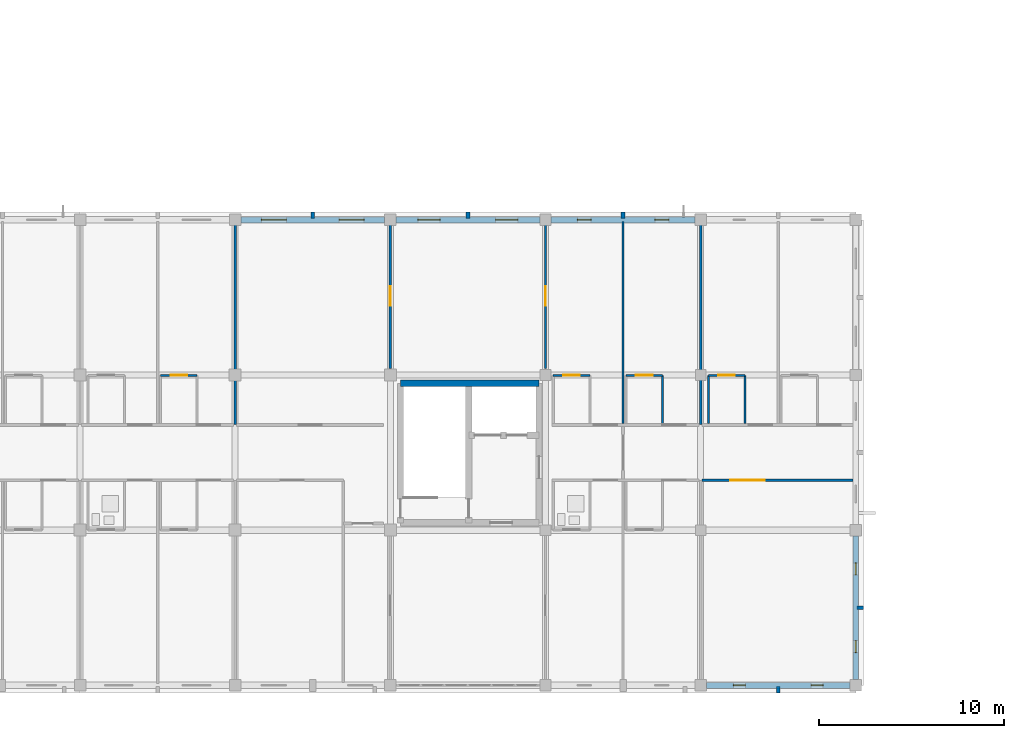
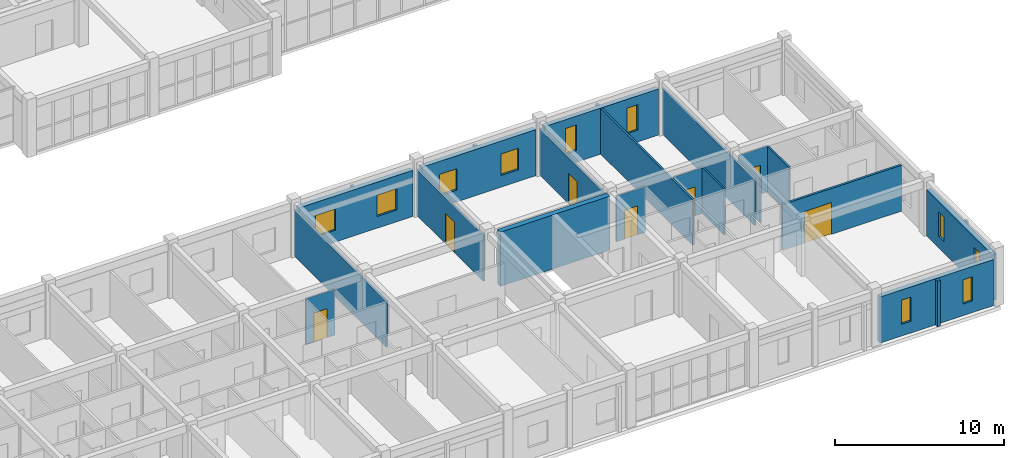
# One storey, part 63 of 81: 24 walls, 10 windows, 7 doors, 17 openings.
"""IFC4 building model written with IfcOpenShell, lengths in metres."""

from ifc_helpers import new_model, si_unit, direction, frame, frame_2d, origin, place, context, subcontext, project, spatial, rectangle, extrude, material, layer, layer_set, type_object, element, fill, save


model = new_model("IFC4")

# Units and contexts
model_context = context("Model", 3, precision=1e-05, world=origin(), true_north=direction((0.0, 1.0)))
body_context = subcontext(model_context, "Body", "Model", "MODEL_VIEW")
ifc_project = project(units=[si_unit("LENGTHUNIT", "METRE"), si_unit("AREAUNIT", "SQUARE_METRE"), si_unit("VOLUMEUNIT", "CUBIC_METRE"), si_unit("PLANEANGLEUNIT", "RADIAN"), si_unit("MASSUNIT", "GRAM", prefix="KILO")], contexts=[model_context])

# Site, building, storey
site_placement = place(None, origin())
site = spatial("IfcSite", under=ifc_project, at=site_placement, CompositionType="ELEMENT")
building_placement = place(site_placement, origin())
building = spatial("IfcBuilding", under=site, at=building_placement, Name="Trelvath General Hospital", CompositionType="ELEMENT")
storey_placement = place(building_placement, frame((0.0, 0.0, 24.60009765625)))
storey = spatial("IfcBuildingStorey", under=building, at=storey_placement, Name="L06", CompositionType="ELEMENT", Elevation=24.60009765625)

# Walls
ifc_material_1 = material(Name="Precast concrete C40/50", Category="concrete")
ifc_layer_1 = layer(ifc_material_1, 0.199951171875)
ifc_layer_set_1 = layer_set([ifc_layer_1], Name="Precast concrete C40/50")
wall_type_1 = type_object("IfcWallType", Name="BriseSoleilRib 200", PredefinedType="ELEMENTEDWALL", material=ifc_layer_set_1)
for number, where, z_axis, x_axis, name in (
    (1, (88.199951171875, 25.27490234375, 0.0), (0.0, 0.0, 1.0), (0.0, 1.0, 0.0), "Precast Concrete Brise-Soleil Rib Fin L06-436"),
    (2, (96.60009765625, 25.27490234375, 0.0), (0.0, 0.0, 1.0), (0.0, 1.0, 0.0), "Precast Concrete Brise-Soleil Rib Fin L06-439"),
    (3, (105.0, 25.27490234375, 0.0), (0.0, 0.0, 1.0), (0.0, 1.0, 0.0), "Precast Concrete Brise-Soleil Rib Fin L06-442"),
    (4, (113.39990234375, -0.074951171875, 0.0), (0.0, 0.0, 1.0), (0.0, -1.0, 0.0), "Precast Concrete Brise-Soleil Rib Fin L06-445"),
):
    element("IfcWall", number, at=place(storey_placement, frame(where, z_axis=z_axis, x_axis=x_axis)), inside=storey, type_object=wall_type_1, Name=name, PredefinedType="ELEMENTEDWALL", context=body_context, shape_type="SweptSolid", body=[
        extrude(rectangle(XDim=0.340087890625, YDim=0.199951171875, at=frame_2d((0.169921875, 0.0))), origin(), (0.0, 0.0, 1.0), 3.31982421875),
    ])
wall_1_placement = place(storey_placement, frame((117.675048828125, 4.199951171875, 0.0), z_axis=(0.0, 0.0, 1.0), x_axis=(1.0, 0.0, 0.0)))
element("IfcWall", 5, at=wall_1_placement, inside=storey, type_object=wall_type_1, Name="Precast Concrete Brise-Soleil Rib Fin L06-446", PredefinedType="ELEMENTEDWALL", context=body_context, shape_type="SweptSolid", body=[
    extrude(rectangle(XDim=0.33984375, YDim=0.199951171875, at=frame_2d((0.169921875, 0.0))), origin(), (0.0, 0.0, 1.0), 3.31982421875),
])

# Wall, opening, door
ifc_material_2 = material(Name="Gypsum acoustic steel-stud partition", Category="steel")
ifc_layer_2 = layer(ifc_material_2, 0.14990234375)
ifc_layer_set_2 = layer_set([ifc_layer_2], Name="Gypsum acoustic steel-stud partition")
wall_type_2 = type_object("IfcWallType", Name="ClinicalPartition 150", PredefinedType="PARTITIONING", material=ifc_layer_set_2)
wall_2_placement = place(storey_placement, frame((109.280029296875, 11.10009765625, 0.0), z_axis=(0.0, 0.0, 1.0), x_axis=(1.0, 0.0, 0.0)))
wall_2 = element("IfcWall", 6, at=wall_2_placement, inside=storey, type_object=wall_type_2, Name="Corridor Partition L06-2147", PredefinedType="PARTITIONING", context=body_context, shape_type="SweptSolid", body=[
    extrude(rectangle(XDim=8.179931640625, YDim=0.14990234375, at=frame_2d((4.08984375, 0.0))), origin(), (0.0, 0.0, 1.0), 3.31982421875),
])
opening_1_placement = place(wall_2_placement, frame((1.530029296875, 0.0, 0.0)))
opening_1 = element("IfcOpeningElement", 7, at=opening_1_placement, cuts=wall_2, Name="Opening D-6-1366", PredefinedType="OPENING", context=body_context, shape_type="SweptSolid", body=[
    extrude(rectangle(XDim=1.85009765625, YDim=2.300048828125, at=frame_2d((0.925048828125, 1.14990234375))), frame((0.0, 0.0849609375, 0.0), z_axis=(0.0, -1.0, 0.0), x_axis=(1.0, 0.0, 0.0)), (0.0, 0.0, 1.0), 0.169921875),
])
ifc_material_3 = material(Name="Fire-rated steel cross-corridor pair", Category="steel")
door_type_1 = type_object("IfcDoorType", Name="Door SmokeCross 1850x2300", OperationType="DOUBLE_SWING_LEFT", PredefinedType="DOOR", material=ifc_material_3)
door_1_placement = place(opening_1_placement, origin())
door_1 = element("IfcDoor", 8, at=door_1_placement, inside=storey, type_object=door_type_1, Name="Waiting Lounge Door L06-1366", OperationType="DOUBLE_SWING_LEFT", OverallHeight=2.300048828125, OverallWidth=1.85009765625, PredefinedType="DOOR", context=body_context, shape_type="SweptSolid", body=[
    extrude(rectangle(XDim=1.85009765625, YDim=2.300048828125, at=frame_2d((0.925048828125, 1.14990234375))), frame((0.0, 0.02490234375, 0.0), z_axis=(0.0, -1.0, 0.0), x_axis=(1.0, 0.0, 0.0)), (0.0, 0.0, 1.0), 0.050048828125),
])
fill(opening_1, door_1)

# Wall
ifc_material_4 = material(Name="Concrete C40/50", Category="concrete")
ifc_layer_3 = layer(ifc_material_4, 0.35009765625)
ifc_layer_set_3 = layer_set([ifc_layer_3], Name="Concrete C40/50")
wall_type_3 = type_object("IfcWallType", Name="CoreShearWall 350", PredefinedType="SHEAR", material=ifc_layer_set_3)
wall_3_placement = place(storey_placement, frame((92.949951171875, 16.35009765625, 0.0), z_axis=(0.0, 0.0, 1.0), x_axis=(1.0, 0.0, 0.0)))
element("IfcWall", 9, at=wall_3_placement, inside=storey, type_object=wall_type_3, Name="Core Shear Wall C5 N L06", PredefinedType="SHEAR", context=body_context, shape_type="SweptSolid", body=[
    extrude(rectangle(XDim=7.5, YDim=0.35009765625, at=frame_2d((3.75, 0.0))), origin(), (0.0, 0.0, 1.0), 3.919921875),
])

# Wall, opening, door
ifc_material_5 = material(Name="Moisture-resistant tile partition")
ifc_layer_4 = layer(ifc_material_5, 0.110107421875)
ifc_layer_set_4 = layer_set([ifc_layer_4], Name="Moisture-resistant tile partition")
wall_type_4 = type_object("IfcWallType", Name="EnSuiteWetWall 110", PredefinedType="PARTITIONING", material=ifc_layer_set_4)
wall_4_placement = place(storey_placement, frame((79.9599609375, 16.780029296875, 0.0), z_axis=(0.0, 0.0, 1.0), x_axis=(1.0, 0.0, 0.0)))
wall_4 = element("IfcWall", 10, at=wall_4_placement, inside=storey, type_object=wall_type_4, Name="En-Suite Bathroom N Partition L06-2117", PredefinedType="PARTITIONING", context=body_context, shape_type="SweptSolid", body=[
    extrude(rectangle(XDim=1.97998046875, YDim=0.110107421875, at=frame_2d((0.989990234375, 0.0))), origin(), (0.0, 0.0, 1.0), 3.31982421875),
])
opening_2_placement = place(wall_4_placement, frame((0.5400390625, 0.0, 0.0)))
opening_2 = element("IfcOpeningElement", 11, at=opening_2_placement, cuts=wall_4, Name="Opening D-6-1349", PredefinedType="OPENING", context=body_context, shape_type="SweptSolid", body=[
    extrude(rectangle(XDim=0.89990234375, YDim=2.10009765625, at=frame_2d((0.449951171875, 1.050048828125))), frame((0.0, 0.06494140625, 0.0), z_axis=(0.0, -1.0, 0.0), x_axis=(1.0, 0.0, 0.0)), (0.0, 0.0, 1.0), 0.130126953125),
])
ifc_material_6 = material(Name="Moisture-sealed timber leaf", Category="wood")
door_type_2 = type_object("IfcDoorType", Name="Door EnSuite 900x2100", OperationType="NOTDEFINED", PredefinedType="DOOR", material=ifc_material_6)
door_2_placement = place(opening_2_placement, origin())
door_2 = element("IfcDoor", 12, at=door_2_placement, inside=storey, type_object=door_type_2, Name="En-Suite Bathroom N Door L06-1349", OperationType="SINGLE_SWING_LEFT", OverallHeight=2.10009765625, OverallWidth=0.89990234375, PredefinedType="DOOR", context=body_context, shape_type="SweptSolid", body=[
    extrude(rectangle(XDim=0.89990234375, YDim=2.10009765625, at=frame_2d((0.449951171875, 1.050048828125))), frame((0.0, 0.02490234375, 0.0), z_axis=(0.0, -1.0, 0.0), x_axis=(1.0, 0.0, 0.0)), (0.0, 0.0, 1.0), 0.050048828125),
])
fill(opening_2, door_2)

wall_5_placement = place(storey_placement, frame((101.219970703125, 16.780029296875, 0.0), z_axis=(0.0, 0.0, 1.0), x_axis=(1.0, 0.0, 0.0)))
wall_5 = element("IfcWall", 13, at=wall_5_placement, inside=storey, type_object=wall_type_4, Name="En-Suite Bathroom N Partition L06-2140", PredefinedType="PARTITIONING", context=body_context, shape_type="SweptSolid", body=[
    extrude(rectangle(XDim=1.97998046875, YDim=0.110107421875, at=frame_2d((0.989990234375, 0.0))), origin(), (0.0, 0.0, 1.0), 3.31982421875),
])
opening_3_placement = place(wall_5_placement, frame((0.5400390625, 0.0, 0.0)))
opening_3 = element("IfcOpeningElement", 14, at=opening_3_placement, cuts=wall_5, Name="Opening D-6-1363", PredefinedType="OPENING", context=body_context, shape_type="SweptSolid", body=[
    extrude(rectangle(XDim=0.89990234375, YDim=2.10009765625, at=frame_2d((0.449951171875, 1.050048828125))), frame((0.0, 0.06494140625, 0.0), z_axis=(0.0, -1.0, 0.0), x_axis=(1.0, 0.0, 0.0)), (0.0, 0.0, 1.0), 0.130126953125),
])
door_3_placement = place(opening_3_placement, origin())
door_3 = element("IfcDoor", 15, at=door_3_placement, inside=storey, type_object=door_type_2, Name="En-Suite Bathroom N Door L06-1363", OperationType="SINGLE_SWING_RIGHT", OverallHeight=2.10009765625, OverallWidth=0.89990234375, PredefinedType="DOOR", context=body_context, shape_type="SweptSolid", body=[
    extrude(rectangle(XDim=0.89990234375, YDim=2.10009765625, at=frame_2d((0.449951171875, 1.050048828125))), frame((0.0, 0.02490234375, 0.0), z_axis=(0.0, -1.0, 0.0), x_axis=(1.0, 0.0, 0.0)), (0.0, 0.0, 1.0), 0.050048828125),
])
fill(opening_3, door_3)

# Wall
wall_6_placement = place(storey_placement, frame((107.139892578125, 14.169921875, 0.0), z_axis=(0.0, 0.0, 1.0), x_axis=(0.0, 1.0, 0.0)))
element("IfcWall", 16, at=wall_6_placement, inside=storey, type_object=wall_type_4, Name="En-Suite E Wall N L06-2142", PredefinedType="PARTITIONING", context=body_context, shape_type="SweptSolid", body=[
    extrude(rectangle(XDim=2.610107421875, YDim=0.110107421875, at=frame_2d((1.30517578125, 0.0))), origin(), (0.0, 0.0, 1.0), 3.31982421875),
])

# Wall, opening, door
wall_7_placement = place(storey_placement, frame((105.159912109375, 16.780029296875, 0.0), z_axis=(0.0, 0.0, 1.0), x_axis=(1.0, 0.0, 0.0)))
wall_7 = element("IfcWall", 17, at=wall_7_placement, inside=storey, type_object=wall_type_4, Name="En-Suite Bathroom N Partition L06-2143", PredefinedType="PARTITIONING", context=body_context, shape_type="SweptSolid", body=[
    extrude(rectangle(XDim=1.97998046875, YDim=0.110107421875, at=frame_2d((0.989990234375, 0.0))), origin(), (0.0, 0.0, 1.0), 3.31982421875),
])
opening_4_placement = place(wall_7_placement, frame((0.5400390625, 0.0, 0.0)))
opening_4 = element("IfcOpeningElement", 18, at=opening_4_placement, cuts=wall_7, Name="Opening D-6-1364", PredefinedType="OPENING", context=body_context, shape_type="SweptSolid", body=[
    extrude(rectangle(XDim=0.89990234375, YDim=2.10009765625, at=frame_2d((0.449951171875, 1.050048828125))), frame((0.0, 0.06494140625, 0.0), z_axis=(0.0, -1.0, 0.0), x_axis=(1.0, 0.0, 0.0)), (0.0, 0.0, 1.0), 0.130126953125),
])
door_4_placement = place(opening_4_placement, origin())
door_4 = element("IfcDoor", 19, at=door_4_placement, inside=storey, type_object=door_type_2, Name="En-Suite Bathroom N Door L06-1364", OperationType="SINGLE_SWING_LEFT", OverallHeight=2.10009765625, OverallWidth=0.89990234375, PredefinedType="DOOR", context=body_context, shape_type="SweptSolid", body=[
    extrude(rectangle(XDim=0.89990234375, YDim=2.10009765625, at=frame_2d((0.449951171875, 1.050048828125))), frame((0.0, 0.02490234375, 0.0), z_axis=(0.0, -1.0, 0.0), x_axis=(1.0, 0.0, 0.0)), (0.0, 0.0, 1.0), 0.050048828125),
])
fill(opening_4, door_4)

# Walls
for number, where, z_axis, x_axis, name in (
    (20, (109.6201171875, 14.169921875, 0.0), (0.0, 0.0, 1.0), (0.0, 1.0, 0.0), "En-Suite W Wall N L06-2150"),
    (21, (111.60009765625, 14.169921875, 0.0), (0.0, 0.0, 1.0), (0.0, 1.0, 0.0), "En-Suite E Wall N L06-2151"),
):
    element("IfcWall", number, at=place(storey_placement, frame(where, z_axis=z_axis, x_axis=x_axis)), inside=storey, type_object=wall_type_4, Name=name, PredefinedType="PARTITIONING", context=body_context, shape_type="SweptSolid", body=[
        extrude(rectangle(XDim=2.610107421875, YDim=0.110107421875, at=frame_2d((1.30517578125, 0.0))), origin(), (0.0, 0.0, 1.0), 3.31982421875),
    ])

# Wall, opening, door
wall_8_placement = place(storey_placement, frame((109.6201171875, 16.780029296875, 0.0), z_axis=(0.0, 0.0, 1.0), x_axis=(1.0, 0.0, 0.0)))
wall_8 = element("IfcWall", 22, at=wall_8_placement, inside=storey, type_object=wall_type_4, Name="En-Suite Bathroom N Partition L06-2152", PredefinedType="PARTITIONING", context=body_context, shape_type="SweptSolid", body=[
    extrude(rectangle(XDim=1.97998046875, YDim=0.110107421875, at=frame_2d((0.989990234375, 0.0))), origin(), (0.0, 0.0, 1.0), 3.31982421875),
])
opening_5_placement = place(wall_8_placement, frame((0.5400390625, 0.0, 0.0)))
opening_5 = element("IfcOpeningElement", 23, at=opening_5_placement, cuts=wall_8, Name="Opening D-6-1369", PredefinedType="OPENING", context=body_context, shape_type="SweptSolid", body=[
    extrude(rectangle(XDim=0.89990234375, YDim=2.10009765625, at=frame_2d((0.449951171875, 1.050048828125))), frame((0.0, 0.06494140625, 0.0), z_axis=(0.0, -1.0, 0.0), x_axis=(1.0, 0.0, 0.0)), (0.0, 0.0, 1.0), 0.130126953125),
])
door_5_placement = place(opening_5_placement, origin())
door_5 = element("IfcDoor", 24, at=door_5_placement, inside=storey, type_object=door_type_2, Name="En-Suite Bathroom N Door L06-1369", OperationType="SINGLE_SWING_LEFT", OverallHeight=2.10009765625, OverallWidth=0.89990234375, PredefinedType="DOOR", context=body_context, shape_type="SweptSolid", body=[
    extrude(rectangle(XDim=0.89990234375, YDim=2.10009765625, at=frame_2d((0.449951171875, 1.050048828125))), frame((0.0, 0.02490234375, 0.0), z_axis=(0.0, -1.0, 0.0), x_axis=(1.0, 0.0, 0.0)), (0.0, 0.0, 1.0), 0.050048828125),
])
fill(opening_5, door_5)

# Wall, openings, windows
ifc_material_7 = material(Name="Concrete C35/45", Category="concrete")
ifc_layer_5 = layer(ifc_material_7, 0.320068359375)
ifc_layer_set_5 = layer_set([ifc_layer_5], Name="Concrete C35/45")
wall_type_5 = type_object("IfcWallType", Name="ExtThermalWall 320", PredefinedType="SOLIDWALL", material=ifc_layer_set_5)
wall_9_placement = place(storey_placement, frame((84.304931640625, 25.199951171875, 0.0), z_axis=(0.0, 0.0, 1.0), x_axis=(1.0, 0.0, 0.0)))
wall_9 = element("IfcWall", 25, at=wall_9_placement, inside=storey, type_object=wall_type_5, Name="Exterior Concrete Wall L06-582", PredefinedType="SOLIDWALL", context=body_context, shape_type="SweptSolid", body=[
    extrude(rectangle(XDim=7.7900390625, YDim=0.320068359375, at=frame_2d((3.89501953125, 0.0))), origin(), (0.0, 0.0, 1.0), 3.33984375),
])
opening_6_placement = place(wall_9_placement, frame((1.11669921875, 0.0, 0.85009765625)))
opening_6 = element("IfcOpeningElement", 26, at=opening_6_placement, cuts=wall_9, Name="Opening WN-6-975", PredefinedType="OPENING", context=body_context, shape_type="SweptSolid", body=[
    extrude(rectangle(XDim=1.35009765625, YDim=1.550048828125, at=frame_2d((0.675048828125, 0.77490234375))), frame((0.0, 0.169921875, 0.0), z_axis=(0.0, -1.0, 0.0), x_axis=(1.0, 0.0, 0.0)), (0.0, 0.0, 1.0), 0.340087890625),
])
opening_7_placement = place(wall_9_placement, frame((5.3232421875, 0.0, 0.85009765625)))
opening_7 = element("IfcOpeningElement", 27, at=opening_7_placement, cuts=wall_9, Name="Opening WN-6-976", PredefinedType="OPENING", context=body_context, shape_type="SweptSolid", body=[
    extrude(rectangle(XDim=1.35009765625, YDim=1.550048828125, at=frame_2d((0.675048828125, 0.77490234375))), frame((0.0, 0.169921875, 0.0), z_axis=(0.0, -1.0, 0.0), x_axis=(1.0, 0.0, 0.0)), (0.0, 0.0, 1.0), 0.340087890625),
])
ifc_material_8 = material(Name="Low-E laminated glass", Category="glass")
window_type_1 = type_object("IfcWindowType", Name="Window WardSouth 1350x1550", PartitioningType="SINGLE_PANEL", PredefinedType="WINDOW", material=ifc_material_8)
window_1_placement = place(opening_6_placement, origin())
window_1 = element("IfcWindow", 28, at=window_1_placement, inside=storey, type_object=window_type_1, Name="Solar Reveal Window L06-975", OverallHeight=1.550048828125, OverallWidth=1.35009765625, PartitioningType="SINGLE_PANEL", PredefinedType="WINDOW", context=body_context, shape_type="SweptSolid", body=[
    extrude(rectangle(XDim=1.35009765625, YDim=1.550048828125, at=frame_2d((0.675048828125, 0.77490234375))), frame((0.0, 0.030029296875, 0.0), z_axis=(0.0, -1.0, 0.0), x_axis=(1.0, 0.0, 0.0)), (0.0, 0.0, 1.0), 0.06005859375),
])
fill(opening_6, window_1)
window_2_placement = place(opening_7_placement, origin())
window_2 = element("IfcWindow", 29, at=window_2_placement, inside=storey, type_object=window_type_1, Name="Solar Reveal Window L06-976", OverallHeight=1.550048828125, OverallWidth=1.35009765625, PartitioningType="SINGLE_PANEL", PredefinedType="WINDOW", context=body_context, shape_type="SweptSolid", body=[
    extrude(rectangle(XDim=1.35009765625, YDim=1.550048828125, at=frame_2d((0.675048828125, 0.77490234375))), frame((0.0, 0.030029296875, 0.0), z_axis=(0.0, -1.0, 0.0), x_axis=(1.0, 0.0, 0.0)), (0.0, 0.0, 1.0), 0.06005859375),
])
fill(opening_7, window_2)

wall_10_placement = place(storey_placement, frame((92.705078125, 25.199951171875, 0.0), z_axis=(0.0, 0.0, 1.0), x_axis=(1.0, 0.0, 0.0)))
wall_10 = element("IfcWall", 30, at=wall_10_placement, inside=storey, type_object=wall_type_5, Name="Exterior Concrete Wall L06-588", PredefinedType="SOLIDWALL", context=body_context, shape_type="SweptSolid", body=[
    extrude(rectangle(XDim=7.7900390625, YDim=0.320068359375, at=frame_2d((3.89501953125, 0.0))), origin(), (0.0, 0.0, 1.0), 3.33984375),
])
opening_8_placement = place(wall_10_placement, frame((1.191650390625, 0.0, 0.85009765625)))
opening_8 = element("IfcOpeningElement", 31, at=opening_8_placement, cuts=wall_10, Name="Opening WN-6-983", PredefinedType="OPENING", context=body_context, shape_type="SweptSolid", body=[
    extrude(rectangle(XDim=1.199951171875, YDim=1.550048828125, at=frame_2d((0.60009765625, 0.77490234375))), frame((0.0, 0.169921875, 0.0), z_axis=(0.0, -1.0, 0.0), x_axis=(1.0, 0.0, 0.0)), (0.0, 0.0, 1.0), 0.340087890625),
])
opening_9_placement = place(wall_10_placement, frame((5.398193359375, 0.0, 0.85009765625)))
opening_9 = element("IfcOpeningElement", 32, at=opening_9_placement, cuts=wall_10, Name="Opening WN-6-984", PredefinedType="OPENING", context=body_context, shape_type="SweptSolid", body=[
    extrude(rectangle(XDim=1.199951171875, YDim=1.550048828125, at=frame_2d((0.60009765625, 0.77490234375))), frame((0.0, 0.169921875, 0.0), z_axis=(0.0, -1.0, 0.0), x_axis=(1.0, 0.0, 0.0)), (0.0, 0.0, 1.0), 0.340087890625),
])
ifc_material_9 = material(Name="Low-E laminated glass", Category="glass")
window_type_2 = type_object("IfcWindowType", Name="Window WardSouth 1200x1550", PartitioningType="SINGLE_PANEL", PredefinedType="WINDOW", material=ifc_material_9)
window_3_placement = place(opening_8_placement, origin())
window_3 = element("IfcWindow", 33, at=window_3_placement, inside=storey, type_object=window_type_2, Name="Solar Reveal Window L06-983", OverallHeight=1.550048828125, OverallWidth=1.199951171875, PartitioningType="SINGLE_PANEL", PredefinedType="WINDOW", context=body_context, shape_type="SweptSolid", body=[
    extrude(rectangle(XDim=1.199951171875, YDim=1.550048828125, at=frame_2d((0.60009765625, 0.77490234375))), frame((0.0, 0.030029296875, 0.0), z_axis=(0.0, -1.0, 0.0), x_axis=(1.0, 0.0, 0.0)), (0.0, 0.0, 1.0), 0.06005859375),
])
fill(opening_8, window_3)
window_4_placement = place(opening_9_placement, origin())
window_4 = element("IfcWindow", 34, at=window_4_placement, inside=storey, type_object=window_type_2, Name="Solar Reveal Window L06-984", OverallHeight=1.550048828125, OverallWidth=1.199951171875, PartitioningType="SINGLE_PANEL", PredefinedType="WINDOW", context=body_context, shape_type="SweptSolid", body=[
    extrude(rectangle(XDim=1.199951171875, YDim=1.550048828125, at=frame_2d((0.60009765625, 0.77490234375))), frame((0.0, 0.030029296875, 0.0), z_axis=(0.0, -1.0, 0.0), x_axis=(1.0, 0.0, 0.0)), (0.0, 0.0, 1.0), 0.06005859375),
])
fill(opening_9, window_4)

wall_11_placement = place(storey_placement, frame((101.10498046875, 25.199951171875, 0.0), z_axis=(0.0, 0.0, 1.0), x_axis=(1.0, 0.0, 0.0)))
wall_11 = element("IfcWall", 35, at=wall_11_placement, inside=storey, type_object=wall_type_5, Name="Exterior Concrete Wall L06-591", PredefinedType="SOLIDWALL", context=body_context, shape_type="SweptSolid", body=[
    extrude(rectangle(XDim=7.7900390625, YDim=0.320068359375, at=frame_2d((3.89501953125, 0.0))), origin(), (0.0, 0.0, 1.0), 3.33984375),
])
opening_10_placement = place(wall_11_placement, frame((1.416748046875, 0.0, 0.85009765625)))
opening_10 = element("IfcOpeningElement", 36, at=opening_10_placement, cuts=wall_11, Name="Opening WN-6-989", PredefinedType="OPENING", context=body_context, shape_type="SweptSolid", body=[
    extrude(rectangle(XDim=0.75, YDim=1.85009765625, at=frame_2d((0.375, 0.925048828125))), frame((0.0, 0.169921875, 0.0), z_axis=(0.0, -1.0, 0.0), x_axis=(1.0, 0.0, 0.0)), (0.0, 0.0, 1.0), 0.340087890625),
])
opening_11_placement = place(wall_11_placement, frame((5.623291015625, 0.0, 0.85009765625)))
opening_11 = element("IfcOpeningElement", 37, at=opening_11_placement, cuts=wall_11, Name="Opening WN-6-990", PredefinedType="OPENING", context=body_context, shape_type="SweptSolid", body=[
    extrude(rectangle(XDim=0.75, YDim=1.85009765625, at=frame_2d((0.375, 0.925048828125))), frame((0.0, 0.169921875, 0.0), z_axis=(0.0, -1.0, 0.0), x_axis=(1.0, 0.0, 0.0)), (0.0, 0.0, 1.0), 0.340087890625),
])
ifc_material_10 = material(Name="Low-E laminated glass", Category="glass")
window_type_3 = type_object("IfcWindowType", Name="Window SunSlot 750x1850", PartitioningType="SINGLE_PANEL", PredefinedType="WINDOW", material=ifc_material_10)
window_5_placement = place(opening_10_placement, origin())
window_5 = element("IfcWindow", 38, at=window_5_placement, inside=storey, type_object=window_type_3, Name="Solar Reveal Window L06-989", OverallHeight=1.85009765625, OverallWidth=0.75, PartitioningType="SINGLE_PANEL", PredefinedType="WINDOW", context=body_context, shape_type="SweptSolid", body=[
    extrude(rectangle(XDim=0.75, YDim=1.85009765625, at=frame_2d((0.375, 0.925048828125))), frame((0.0, 0.030029296875, 0.0), z_axis=(0.0, -1.0, 0.0), x_axis=(1.0, 0.0, 0.0)), (0.0, 0.0, 1.0), 0.06005859375),
])
fill(opening_10, window_5)
window_6_placement = place(opening_11_placement, origin())
window_6 = element("IfcWindow", 39, at=window_6_placement, inside=storey, type_object=window_type_3, Name="Solar Reveal Window L06-990", OverallHeight=1.85009765625, OverallWidth=0.75, PartitioningType="SINGLE_PANEL", PredefinedType="WINDOW", context=body_context, shape_type="SweptSolid", body=[
    extrude(rectangle(XDim=0.75, YDim=1.85009765625, at=frame_2d((0.375, 0.925048828125))), frame((0.0, 0.030029296875, 0.0), z_axis=(0.0, -1.0, 0.0), x_axis=(1.0, 0.0, 0.0)), (0.0, 0.0, 1.0), 0.06005859375),
])
fill(opening_11, window_6)

wall_12_placement = place(storey_placement, frame((117.294921875, 0.0, 0.0), z_axis=(0.0, 0.0, 1.0), x_axis=(-1.0, 0.0, 0.0)))
wall_12 = element("IfcWall", 40, at=wall_12_placement, inside=storey, type_object=wall_type_5, Name="Exterior Concrete Wall L06-594", PredefinedType="SOLIDWALL", context=body_context, shape_type="SweptSolid", body=[
    extrude(rectangle(XDim=7.7900390625, YDim=0.320068359375, at=frame_2d((3.89501953125, 0.0))), origin(), (0.0, 0.0, 1.0), 3.33984375),
])
opening_12_placement = place(wall_12_placement, frame((1.466796875, 0.0, 0.85009765625)))
opening_12 = element("IfcOpeningElement", 41, at=opening_12_placement, cuts=wall_12, Name="Opening WN-6-995", PredefinedType="OPENING", context=body_context, shape_type="SweptSolid", body=[
    extrude(rectangle(XDim=0.64990234375, YDim=1.75, at=frame_2d((0.324951171875, 0.875))), frame((0.0, 0.169921875, 0.0), z_axis=(0.0, -1.0, 0.0), x_axis=(1.0, 0.0, 0.0)), (0.0, 0.0, 1.0), 0.340087890625),
])
opening_13_placement = place(wall_12_placement, frame((5.67333984375, 0.0, 0.85009765625)))
opening_13 = element("IfcOpeningElement", 42, at=opening_13_placement, cuts=wall_12, Name="Opening WN-6-996", PredefinedType="OPENING", context=body_context, shape_type="SweptSolid", body=[
    extrude(rectangle(XDim=0.64990234375, YDim=1.75, at=frame_2d((0.324951171875, 0.875))), frame((0.0, 0.169921875, 0.0), z_axis=(0.0, -1.0, 0.0), x_axis=(1.0, 0.0, 0.0)), (0.0, 0.0, 1.0), 0.340087890625),
])
ifc_material_11 = material(Name="Low-E laminated glass", Category="glass")
window_type_4 = type_object("IfcWindowType", Name="Window SunSlot 650x1750", PartitioningType="SINGLE_PANEL", PredefinedType="WINDOW", material=ifc_material_11)
window_7_placement = place(opening_12_placement, origin())
window_7 = element("IfcWindow", 43, at=window_7_placement, inside=storey, type_object=window_type_4, Name="Solar Reveal Window L06-995", OverallHeight=1.75, OverallWidth=0.64990234375, PartitioningType="SINGLE_PANEL", PredefinedType="WINDOW", context=body_context, shape_type="SweptSolid", body=[
    extrude(rectangle(XDim=0.64990234375, YDim=1.75, at=frame_2d((0.324951171875, 0.875))), frame((0.0, 0.030029296875, 0.0), z_axis=(0.0, -1.0, 0.0), x_axis=(1.0, 0.0, 0.0)), (0.0, 0.0, 1.0), 0.06005859375),
])
fill(opening_12, window_7)
window_8_placement = place(opening_13_placement, origin())
window_8 = element("IfcWindow", 44, at=window_8_placement, inside=storey, type_object=window_type_4, Name="Solar Reveal Window L06-996", OverallHeight=1.75, OverallWidth=0.64990234375, PartitioningType="SINGLE_PANEL", PredefinedType="WINDOW", context=body_context, shape_type="SweptSolid", body=[
    extrude(rectangle(XDim=0.64990234375, YDim=1.75, at=frame_2d((0.324951171875, 0.875))), frame((0.0, 0.030029296875, 0.0), z_axis=(0.0, -1.0, 0.0), x_axis=(1.0, 0.0, 0.0)), (0.0, 0.0, 1.0), 0.06005859375),
])
fill(opening_13, window_8)

wall_13_placement = place(storey_placement, frame((117.60009765625, 8.094970703125, 0.0), z_axis=(0.0, 0.0, 1.0), x_axis=(0.0, -1.0, 0.0)))
wall_13 = element("IfcWall", 45, at=wall_13_placement, inside=storey, type_object=wall_type_5, Name="Exterior Concrete Wall L06-595", PredefinedType="SOLIDWALL", context=body_context, shape_type="SweptSolid", body=[
    extrude(rectangle(XDim=7.7900390625, YDim=0.320068359375, at=frame_2d((3.89501953125, 0.0))), origin(), (0.0, 0.0, 1.0), 3.33984375),
])
opening_14_placement = place(wall_13_placement, frame((1.466796875, 0.0, 0.85009765625)))
opening_14 = element("IfcOpeningElement", 46, at=opening_14_placement, cuts=wall_13, Name="Opening WN-6-997", PredefinedType="OPENING", context=body_context, shape_type="SweptSolid", body=[
    extrude(rectangle(XDim=0.64990234375, YDim=1.75, at=frame_2d((0.324951171875, 0.875))), frame((0.0, 0.169921875, 0.0), z_axis=(0.0, -1.0, 0.0), x_axis=(1.0, 0.0, 0.0)), (0.0, 0.0, 1.0), 0.340087890625),
])
opening_15_placement = place(wall_13_placement, frame((5.67333984375, 0.0, 0.85009765625)))
opening_15 = element("IfcOpeningElement", 47, at=opening_15_placement, cuts=wall_13, Name="Opening WN-6-998", PredefinedType="OPENING", context=body_context, shape_type="SweptSolid", body=[
    extrude(rectangle(XDim=0.64990234375, YDim=1.75, at=frame_2d((0.324951171875, 0.875))), frame((0.0, 0.169921875, 0.0), z_axis=(0.0, -1.0, 0.0), x_axis=(1.0, 0.0, 0.0)), (0.0, 0.0, 1.0), 0.340087890625),
])
window_9_placement = place(opening_14_placement, origin())
window_9 = element("IfcWindow", 48, at=window_9_placement, inside=storey, type_object=window_type_4, Name="Solar Reveal Window L06-997", OverallHeight=1.75, OverallWidth=0.64990234375, PartitioningType="SINGLE_PANEL", PredefinedType="WINDOW", context=body_context, shape_type="SweptSolid", body=[
    extrude(rectangle(XDim=0.64990234375, YDim=1.75, at=frame_2d((0.324951171875, 0.875))), frame((0.0, 0.030029296875, 0.0), z_axis=(0.0, -1.0, 0.0), x_axis=(1.0, 0.0, 0.0)), (0.0, 0.0, 1.0), 0.06005859375),
])
fill(opening_14, window_9)
window_10_placement = place(opening_15_placement, origin())
window_10 = element("IfcWindow", 49, at=window_10_placement, inside=storey, type_object=window_type_4, Name="Solar Reveal Window L06-998", OverallHeight=1.75, OverallWidth=0.64990234375, PartitioningType="SINGLE_PANEL", PredefinedType="WINDOW", context=body_context, shape_type="SweptSolid", body=[
    extrude(rectangle(XDim=0.64990234375, YDim=1.75, at=frame_2d((0.324951171875, 0.875))), frame((0.0, 0.030029296875, 0.0), z_axis=(0.0, -1.0, 0.0), x_axis=(1.0, 0.0, 0.0)), (0.0, 0.0, 1.0), 0.06005859375),
])
fill(opening_15, window_10)

# Wall
ifc_material_12 = material(Name="Gypsum acoustic steel-stud partition", Category="steel")
ifc_layer_6 = layer(ifc_material_12, 0.1298828125)
ifc_layer_set_6 = layer_set([ifc_layer_6], Name="Gypsum acoustic steel-stud partition")
wall_type_6 = type_object("IfcWallType", Name="WardPartition 130", PredefinedType="PARTITIONING", material=ifc_layer_set_6)
wall_14_placement = place(storey_placement, frame((84.0, 14.1201171875, 0.0), z_axis=(0.0, 0.0, 1.0), x_axis=(0.0, 1.0, 0.0)))
element("IfcWall", 50, at=wall_14_placement, inside=storey, type_object=wall_type_6, Name="Inter-Bay Ward Partition N L06-2119", PredefinedType="PARTITIONING", context=body_context, shape_type="SweptSolid", body=[
    extrude(rectangle(XDim=10.93994140625, YDim=0.1298828125, at=frame_2d((5.469970703125, 0.0))), origin(), (0.0, 0.0, 1.0), 3.31982421875),
])

# Wall, opening, door
wall_15_placement = place(storey_placement, frame((92.39990234375, 17.14990234375, 0.0), z_axis=(0.0, 0.0, 1.0), x_axis=(0.0, 1.0, 0.0)))
wall_15 = element("IfcWall", 51, at=wall_15_placement, inside=storey, type_object=wall_type_6, Name="Inter-Bay Ward Partition N L06-2125", PredefinedType="PARTITIONING", context=body_context, shape_type="SweptSolid", body=[
    extrude(rectangle(XDim=7.91015625, YDim=0.1298828125, at=frame_2d((3.955078125, 0.0))), origin(), (0.0, 0.0, 1.0), 3.31982421875),
])
opening_16_placement = place(wall_15_placement, frame((3.39990234375, 0.0, 0.0)))
opening_16 = element("IfcOpeningElement", 52, at=opening_16_placement, cuts=wall_15, Name="Opening D-6-1354", PredefinedType="OPENING", context=body_context, shape_type="SweptSolid", body=[
    extrude(rectangle(XDim=1.050048828125, YDim=2.199951171875, at=frame_2d((0.52490234375, 1.10009765625))), frame((0.0, 0.074951171875, 0.0), z_axis=(0.0, -1.0, 0.0), x_axis=(1.0, 0.0, 0.0)), (0.0, 0.0, 1.0), 0.14990234375),
])
ifc_material_13 = material(Name="Acoustic hospital timber leaf", Category="wood")
door_type_3 = type_object("IfcDoorType", Name="Door Consult 1050x2200", OperationType="NOTDEFINED", PredefinedType="DOOR", material=ifc_material_13)
door_6_placement = place(opening_16_placement, origin())
door_6 = element("IfcDoor", 53, at=door_6_placement, inside=storey, type_object=door_type_3, Name="Consultation Connecting Door L06-1354", OperationType="SINGLE_SWING_RIGHT", OverallHeight=2.199951171875, OverallWidth=1.050048828125, PredefinedType="DOOR", context=body_context, shape_type="SweptSolid", body=[
    extrude(rectangle(XDim=1.050048828125, YDim=2.199951171875, at=frame_2d((0.52490234375, 1.10009765625))), frame((0.0, 0.02490234375, 0.0), z_axis=(0.0, -1.0, 0.0), x_axis=(1.0, 0.0, 0.0)), (0.0, 0.0, 1.0), 0.050048828125),
])
fill(opening_16, door_6)

wall_16_placement = place(storey_placement, frame((100.800048828125, 17.14990234375, 0.0), z_axis=(0.0, 0.0, 1.0), x_axis=(0.0, 1.0, 0.0)))
wall_16 = element("IfcWall", 54, at=wall_16_placement, inside=storey, type_object=wall_type_6, Name="Inter-Bay Ward Partition N L06-2127", PredefinedType="PARTITIONING", context=body_context, shape_type="SweptSolid", body=[
    extrude(rectangle(XDim=7.91015625, YDim=0.1298828125, at=frame_2d((3.955078125, 0.0))), origin(), (0.0, 0.0, 1.0), 3.31982421875),
])
opening_17_placement = place(wall_16_placement, frame((3.39990234375, 0.0, 0.0)))
opening_17 = element("IfcOpeningElement", 55, at=opening_17_placement, cuts=wall_16, Name="Opening D-6-1356", PredefinedType="OPENING", context=body_context, shape_type="SweptSolid", body=[
    extrude(rectangle(XDim=1.050048828125, YDim=2.199951171875, at=frame_2d((0.52490234375, 1.10009765625))), frame((0.0, 0.074951171875, 0.0), z_axis=(0.0, -1.0, 0.0), x_axis=(1.0, 0.0, 0.0)), (0.0, 0.0, 1.0), 0.14990234375),
])
door_7_placement = place(opening_17_placement, origin())
door_7 = element("IfcDoor", 56, at=door_7_placement, inside=storey, type_object=door_type_3, Name="Consultation Connecting Door L06-1356", OperationType="SINGLE_SWING_RIGHT", OverallHeight=2.199951171875, OverallWidth=1.050048828125, PredefinedType="DOOR", context=body_context, shape_type="SweptSolid", body=[
    extrude(rectangle(XDim=1.050048828125, YDim=2.199951171875, at=frame_2d((0.52490234375, 1.10009765625))), frame((0.0, 0.02490234375, 0.0), z_axis=(0.0, -1.0, 0.0), x_axis=(1.0, 0.0, 0.0)), (0.0, 0.0, 1.0), 0.050048828125),
])
fill(opening_17, door_7)

# Walls
wall_17_placement = place(storey_placement, frame((105.0, 14.169921875, 0.0), z_axis=(0.0, 0.0, 1.0), x_axis=(0.0, 1.0, 0.0)))
element("IfcWall", 57, at=wall_17_placement, inside=storey, type_object=wall_type_6, Name="Room Dividing Partition N L06-2137", PredefinedType="PARTITIONING", context=body_context, shape_type="SweptSolid", body=[
    extrude(rectangle(XDim=10.93017578125, YDim=0.1298828125, at=frame_2d((5.465087890625, 0.0))), origin(), (0.0, 0.0, 1.0), 3.31982421875),
])
wall_18_placement = place(storey_placement, frame((109.199951171875, 14.1201171875, 0.0), z_axis=(0.0, 0.0, 1.0), x_axis=(0.0, 1.0, 0.0)))
element("IfcWall", 58, at=wall_18_placement, inside=storey, type_object=wall_type_6, Name="Inter-Bay Ward Partition N L06-2146", PredefinedType="PARTITIONING", context=body_context, shape_type="SweptSolid", body=[
    extrude(rectangle(XDim=10.93994140625, YDim=0.1298828125, at=frame_2d((5.469970703125, 0.0))), origin(), (0.0, 0.0, 1.0), 3.31982421875),
])

save(model, "model.ifc")
